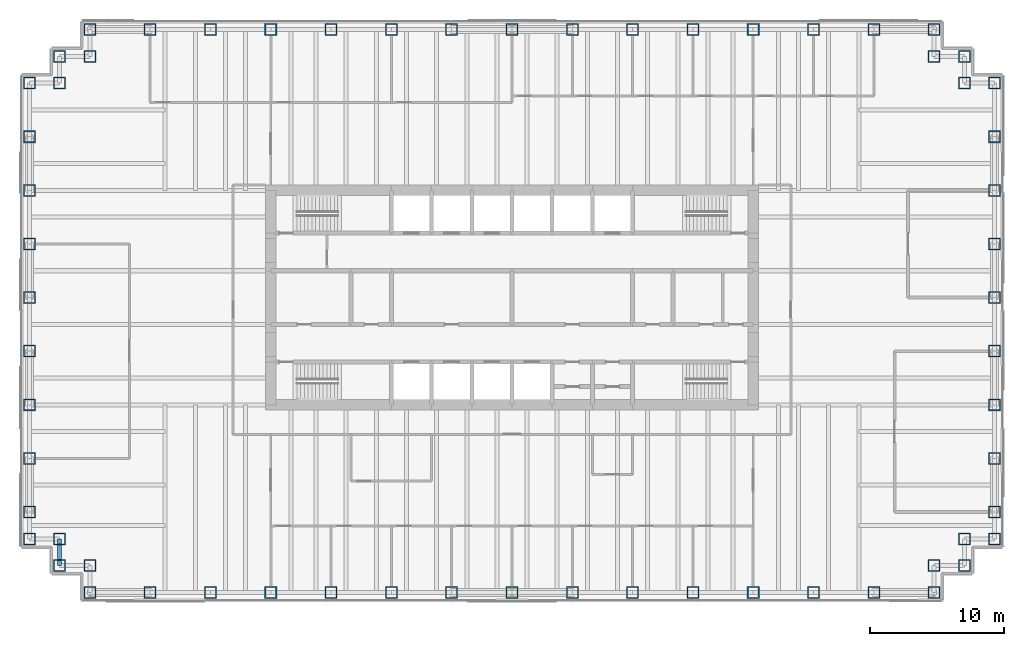
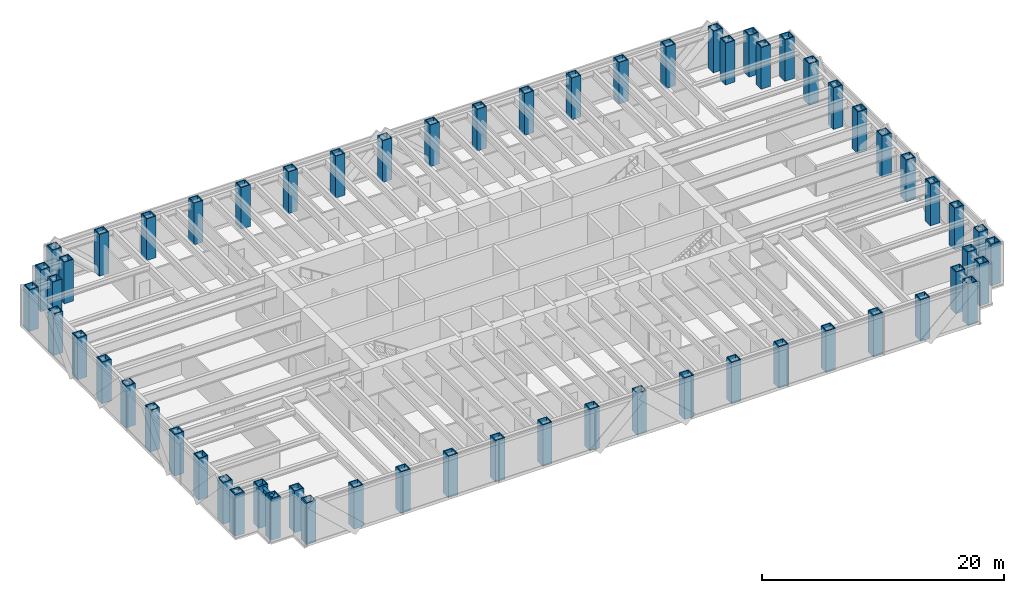
# One storey, part 1 of 14: 62 columns, 1 beam.
"""IFC4 building model written with IfcOpenShell, lengths in metres."""

from ifc_helpers import new_model, si_unit, direction, frame, origin, origin_2d, place, context, subcontext, project, spatial, hollow_rectangle, i_section, extrude, material, material_profile, profile_set, type_object, element, save


model = new_model("IFC4")

# Units and contexts
model_context = context("Model", 3, precision=1e-05, world=origin(), true_north=direction((0.0, 1.0)))
body_context = subcontext(model_context, "Body", "Model", "MODEL_VIEW")
ifc_project = project(units=[si_unit("LENGTHUNIT", "METRE"), si_unit("AREAUNIT", "SQUARE_METRE"), si_unit("VOLUMEUNIT", "CUBIC_METRE"), si_unit("PLANEANGLEUNIT", "RADIAN"), si_unit("MASSUNIT", "GRAM", prefix="KILO")], contexts=[model_context])

# Site, building, storey
site_placement = place(None, origin())
site = spatial("IfcSite", under=ifc_project, at=site_placement, CompositionType="ELEMENT")
building_placement = place(site_placement, origin())
building = spatial("IfcBuilding", under=site, at=building_placement, Name="Rheinbord Bourse Tower", CompositionType="ELEMENT")
storey_placement = place(building_placement, frame((0.0, 0.0, 211.0)))
storey = spatial("IfcBuildingStorey", under=building, at=storey_placement, Name="L47", CompositionType="ELEMENT", Elevation=211.0)

# Columns
ifc_material_1 = material(Name="Steel S460M", Category="steel")
ifc_material_profile_1 = material_profile(ifc_material_1, hollow_rectangle(XDim=0.89990234375, YDim=0.89990234375, WallThickness=0.080078125, at=origin_2d()), Name="BOX 900x900x80")
ifc_profile_set_1 = profile_set([ifc_material_profile_1], Name="Steel S460M")
column_type = type_object("IfcColumnType", Name="TUBE COLUMN BOX 900x900x80", PredefinedType="COLUMN", material=ifc_profile_set_1)
for number, where, z_axis, x_axis, name in (
    (1, (4.5, 2.0, 0.0), (0.0, 0.0, 1.0), (0.0, 1.0, 0.0), "Column SW-E L47"),
    (2, (9.0, 2.0, 0.0), (0.0, 0.0, 1.0), (0.0, 1.0, 0.0), "Column S-9 L47"),
    (3, (13.5, 2.0, 0.0), (0.0, 0.0, 1.0), (0.0, 1.0, 0.0), "Column S-13.5 L47"),
    (4, (18.0, 2.0, 0.0), (0.0, 0.0, 1.0), (0.0, 1.0, 0.0), "Column S-18 L47"),
    (5, (22.5, 2.0, 0.0), (0.0, 0.0, 1.0), (0.0, 1.0, 0.0), "Column S-22.5 L47"),
    (6, (27.0, 2.0, 0.0), (0.0, 0.0, 1.0), (0.0, 1.0, 0.0), "Column S-27 L47"),
    (7, (31.5, 2.0, 0.0), (0.0, 0.0, 1.0), (0.0, 1.0, 0.0), "Column S-31.5 L47"),
    (8, (36.0, 2.0, 0.0), (0.0, 0.0, 1.0), (0.0, 1.0, 0.0), "Column S-36 L47"),
    (9, (40.5, 2.0, 0.0), (0.0, 0.0, 1.0), (0.0, 1.0, 0.0), "Column S-40.5 L47"),
    (10, (45.0, 2.0, 0.0), (0.0, 0.0, 1.0), (0.0, 1.0, 0.0), "Column S-45 L47"),
    (11, (49.5, 2.0, 0.0), (0.0, 0.0, 1.0), (0.0, 1.0, 0.0), "Column S-49.5 L47"),
    (12, (54.0, 2.0, 0.0), (0.0, 0.0, 1.0), (0.0, 1.0, 0.0), "Column S-54 L47"),
    (13, (58.5, 2.0, 0.0), (0.0, 0.0, 1.0), (0.0, 1.0, 0.0), "Column S-58.5 L47"),
    (14, (63.0, 2.0, 0.0), (0.0, 0.0, 1.0), (0.0, 1.0, 0.0), "Column S-63 L47"),
    (15, (67.5, 2.0, 0.0), (0.0, 0.0, 1.0), (0.0, 1.0, 0.0), "Column SE-E L47"),
    (16, (67.5, 4.0, 0.0), (0.0, 0.0, 1.0), (0.0, 1.0, 0.0), "Column SE-D L47"),
    (17, (69.75, 4.0, 0.0), (0.0, 0.0, 1.0), (1.0, 0.0, 0.0), "Column SE-C L47"),
    (18, (69.75, 6.0, 0.0), (0.0, 0.0, 1.0), (1.0, 0.0, 0.0), "Column SE-B L47"),
    (19, (72.0, 6.0, 0.0), (0.0, 0.0, 1.0), (1.0, 0.0, 0.0), "Column SE-A L47"),
    (20, (72.0, 8.0, 0.0), (0.0, 0.0, 1.0), (1.0, 0.0, 0.0), "Column E-8 L47"),
    (21, (72.0, 12.0, 0.0), (0.0, 0.0, 1.0), (1.0, 0.0, 0.0), "Column E-12 L47"),
    (22, (72.0, 16.0, 0.0), (0.0, 0.0, 1.0), (1.0, 0.0, 0.0), "Column E-16 L47"),
    (23, (72.0, 20.0, 0.0), (0.0, 0.0, 1.0), (1.0, 0.0, 0.0), "Column E-20 L47"),
    (24, (72.0, 24.0, 0.0), (0.0, 0.0, 1.0), (1.0, 0.0, 0.0), "Column E-24 L47"),
    (25, (72.0, 28.0, 0.0), (0.0, 0.0, 1.0), (1.0, 0.0, 0.0), "Column E-28 L47"),
    (26, (72.0, 32.0, 0.0), (0.0, 0.0, 1.0), (1.0, 0.0, 0.0), "Column E-32 L47"),
    (27, (72.0, 36.0, 0.0), (0.0, 0.0, 1.0), (1.0, 0.0, 0.0), "Column E-36 L47"),
    (28, (72.0, 40.0, 0.0), (0.0, 0.0, 1.0), (1.0, 0.0, 0.0), "Column NE-A L47"),
    (29, (69.75, 40.0, 0.0), (0.0, 0.0, 1.0), (1.0, 0.0, 0.0), "Column NE-B L47"),
    (30, (69.75, 42.0, 0.0), (0.0, 0.0, 1.0), (1.0, 0.0, 0.0), "Column NE-C L47"),
    (31, (67.5, 42.0, 0.0), (0.0, 0.0, 1.0), (0.0, 1.0, 0.0), "Column NE-D L47"),
    (32, (67.5, 44.0, 0.0), (0.0, 0.0, 1.0), (0.0, 1.0, 0.0), "Column NE-E L47"),
    (33, (63.0, 44.0, 0.0), (0.0, 0.0, 1.0), (0.0, 1.0, 0.0), "Column N-63 L47"),
    (34, (58.5, 44.0, 0.0), (0.0, 0.0, 1.0), (0.0, 1.0, 0.0), "Column N-58.5 L47"),
    (35, (54.0, 44.0, 0.0), (0.0, 0.0, 1.0), (0.0, 1.0, 0.0), "Column N-54 L47"),
    (36, (49.5, 44.0, 0.0), (0.0, 0.0, 1.0), (0.0, 1.0, 0.0), "Column N-49.5 L47"),
    (37, (45.0, 44.0, 0.0), (0.0, 0.0, 1.0), (0.0, 1.0, 0.0), "Column N-45 L47"),
    (38, (40.5, 44.0, 0.0), (0.0, 0.0, 1.0), (0.0, 1.0, 0.0), "Column N-40.5 L47"),
    (39, (36.0, 44.0, 0.0), (0.0, 0.0, 1.0), (0.0, 1.0, 0.0), "Column N-36 L47"),
    (40, (31.5, 44.0, 0.0), (0.0, 0.0, 1.0), (0.0, 1.0, 0.0), "Column N-31.5 L47"),
    (41, (27.0, 44.0, 0.0), (0.0, 0.0, 1.0), (0.0, 1.0, 0.0), "Column N-27 L47"),
    (42, (22.5, 44.0, 0.0), (0.0, 0.0, 1.0), (0.0, 1.0, 0.0), "Column N-22.5 L47"),
    (43, (18.0, 44.0, 0.0), (0.0, 0.0, 1.0), (0.0, 1.0, 0.0), "Column N-18 L47"),
    (44, (13.5, 44.0, 0.0), (0.0, 0.0, 1.0), (0.0, 1.0, 0.0), "Column N-13.5 L47"),
    (45, (9.0, 44.0, 0.0), (0.0, 0.0, 1.0), (0.0, 1.0, 0.0), "Column N-9 L47"),
    (46, (4.5, 44.0, 0.0), (0.0, 0.0, 1.0), (0.0, 1.0, 0.0), "Column NW-E L47"),
    (47, (4.5, 42.0, 0.0), (0.0, 0.0, 1.0), (0.0, 1.0, 0.0), "Column NW-D L47"),
    (48, (2.25, 42.0, 0.0), (0.0, 0.0, 1.0), (1.0, 0.0, 0.0), "Column NW-C L47"),
    (49, (2.25, 40.0, 0.0), (0.0, 0.0, 1.0), (1.0, 0.0, 0.0), "Column NW-B L47"),
    (50, (0.0, 40.0, 0.0), (0.0, 0.0, 1.0), (1.0, 0.0, 0.0), "Column NW-A L47"),
    (51, (0.0, 36.0, 0.0), (0.0, 0.0, 1.0), (1.0, 0.0, 0.0), "Column W-36 L47"),
    (52, (0.0, 32.0, 0.0), (0.0, 0.0, 1.0), (1.0, 0.0, 0.0), "Column W-32 L47"),
    (53, (0.0, 28.0, 0.0), (0.0, 0.0, 1.0), (1.0, 0.0, 0.0), "Column W-28 L47"),
    (54, (0.0, 24.0, 0.0), (0.0, 0.0, 1.0), (1.0, 0.0, 0.0), "Column W-24 L47"),
    (55, (0.0, 20.0, 0.0), (0.0, 0.0, 1.0), (1.0, 0.0, 0.0), "Column W-20 L47"),
    (56, (0.0, 16.0, 0.0), (0.0, 0.0, 1.0), (1.0, 0.0, 0.0), "Column W-16 L47"),
    (57, (0.0, 12.0, 0.0), (0.0, 0.0, 1.0), (1.0, 0.0, 0.0), "Column W-12 L47"),
    (58, (0.0, 8.0, 0.0), (0.0, 0.0, 1.0), (1.0, 0.0, 0.0), "Column W-8 L47"),
    (59, (0.0, 6.0, 0.0), (0.0, 0.0, 1.0), (1.0, 0.0, 0.0), "Column SW-A L47"),
    (60, (2.25, 6.0, 0.0), (0.0, 0.0, 1.0), (1.0, 0.0, 0.0), "Column SW-B L47"),
    (61, (2.25, 4.0, 0.0), (0.0, 0.0, 1.0), (1.0, 0.0, 0.0), "Column SW-C L47"),
    (62, (4.5, 4.0, 0.0), (0.0, 0.0, 1.0), (0.0, 1.0, 0.0), "Column SW-D L47"),
):
    element("IfcColumn", number, at=place(storey_placement, frame(where, z_axis=z_axis, x_axis=x_axis)), inside=storey, type_object=column_type, Name=name, PredefinedType="COLUMN", context=body_context, shape_type="SweptSolid", body=[
        extrude(hollow_rectangle(XDim=0.89990234375, YDim=0.89990234375, WallThickness=0.080078125, at=origin_2d()), origin(), (0.0, 0.0, 1.0), 4.199951171875),
    ])

# Beam
ifc_material_2 = material(Name="Steel S460", Category="steel")
ifc_material_profile_2 = material_profile(ifc_material_2, i_section(OverallWidth=0.300048828125, OverallDepth=0.60009765625, WebThickness=0.015380859375, FlangeThickness=0.030029296875, at=origin_2d()), Name="HEB 600")
ifc_profile_set_2 = profile_set([ifc_material_profile_2], Name="Steel S460")
beam_type = type_object("IfcBeamType", Name="SPANDREL HEB 600", PredefinedType="SPANDREL", material=ifc_profile_set_2)
beam_placement = place(storey_placement, frame((2.25, 6.0, 3.739990234375), z_axis=(0.0, -1.0, 0.0), x_axis=(1.0, 0.0, 0.0)))
element("IfcBeam", 63, at=beam_placement, inside=storey, type_object=beam_type, Name="Spandrel SW-B-SW-C under L48", PredefinedType="SPANDREL", context=body_context, shape_type="SweptSolid", body=[
    extrude(i_section(OverallWidth=0.300048828125, OverallDepth=0.60009765625, WebThickness=0.015380859375, FlangeThickness=0.030029296875, at=origin_2d()), origin(), (0.0, 0.0, 1.0), 2.0),
])

save(model, "model.ifc")
